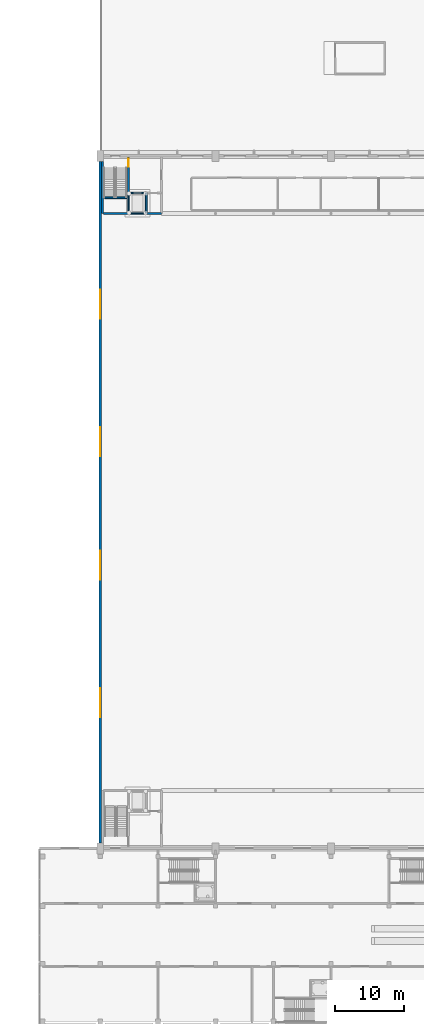
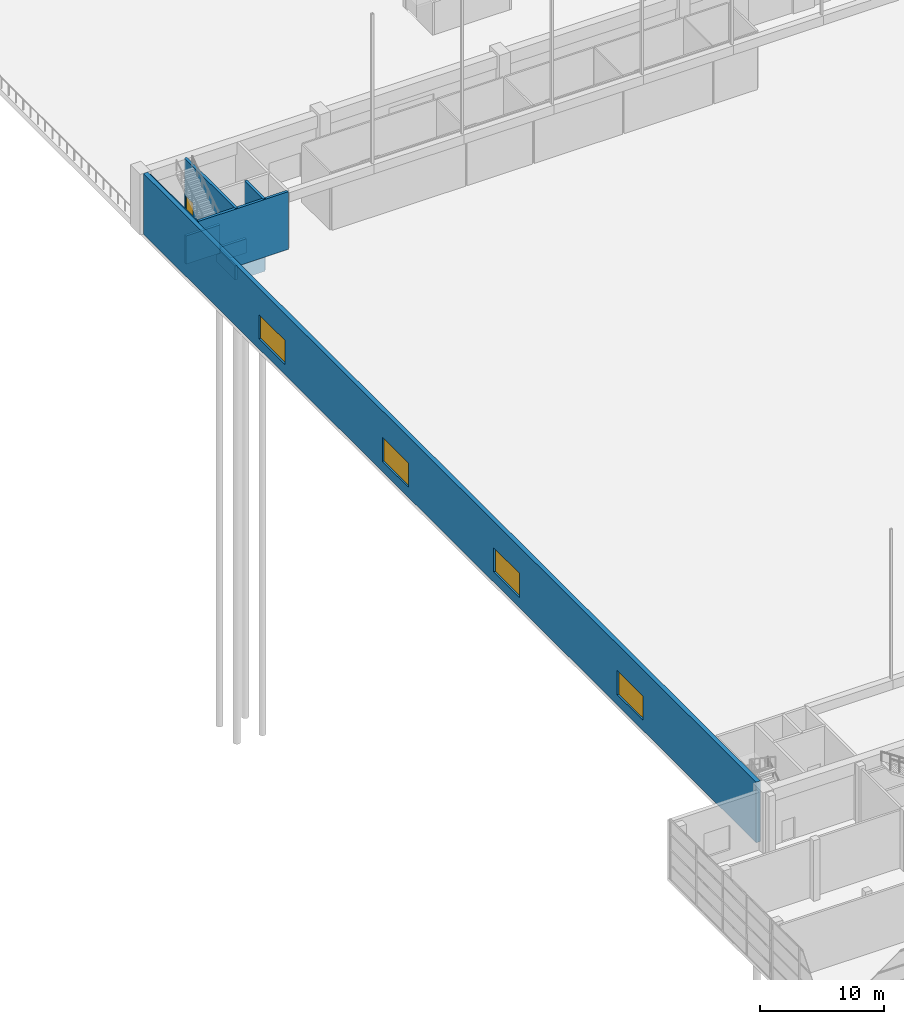
# One storey, part 114 of 210: 10 walls, 4 windows, 1 door, 5 openings.
"""IFC4 building model written with IfcOpenShell, lengths in metres."""

from ifc_helpers import new_model, si_unit, direction, frame, frame_2d, origin, place, context, subcontext, project, spatial, rectangle, extrude, material, layer, layer_set, type_object, element, fill, save


model = new_model("IFC4")

# Units and contexts
model_context = context("Model", 3, precision=1e-05, world=origin(), true_north=direction((0.0, 1.0)))
body_context = subcontext(model_context, "Body", "Model", "MODEL_VIEW")
ifc_project = project(units=[si_unit("LENGTHUNIT", "METRE"), si_unit("AREAUNIT", "SQUARE_METRE"), si_unit("VOLUMEUNIT", "CUBIC_METRE"), si_unit("PLANEANGLEUNIT", "RADIAN"), si_unit("MASSUNIT", "GRAM", prefix="KILO")], contexts=[model_context])

# Site, building, storey
site_placement = place(None, origin())
site = spatial("IfcSite", under=ifc_project, at=site_placement, CompositionType="ELEMENT")
building_placement = place(site_placement, origin())
building = spatial("IfcBuilding", under=site, at=building_placement, Name="Rain Tree Exposition and Congress Centre", CompositionType="ELEMENT")
storey_placement = place(building_placement, origin())
storey = spatial("IfcBuildingStorey", under=building, at=storey_placement, Name="L00", CompositionType="ELEMENT", Elevation=0.0)

# Wall
ifc_material_1 = material(Name="Concrete C40/50", Category="concrete")
ifc_layer_1 = layer(ifc_material_1, 0.300048828125)
ifc_layer_set_1 = layer_set([ifc_layer_1], Name="Concrete C40/50")
wall_type_1 = type_object("IfcWallType", Name="Core gable pier wall 300", PredefinedType="SHEAR", material=ifc_layer_set_1)
wall_1_placement = place(storey_placement, frame((8.75, 200.800048828125, 0.0), z_axis=(0.0, 0.0, 1.0), x_axis=(0.0, -1.0, 0.0)))
element("IfcWall", 1, at=wall_1_placement, inside=storey, type_object=wall_type_1, Name="Gable pier wall 3", PredefinedType="SHEAR", context=body_context, shape_type="SweptSolid", body=[
    extrude(rectangle(XDim=7.60009765625, YDim=0.300048828125, at=frame_2d((3.800048828125, 0.0))), origin(), (0.0, 0.0, 1.0), 5.699951171875),
])

# Wall, opening, door
ifc_material_2 = material(Name="Concrete C40/50", Category="concrete")
ifc_layer_2 = layer(ifc_material_2, 0.25)
ifc_layer_set_2 = layer_set([ifc_layer_2], Name="Concrete C40/50")
wall_type_2 = type_object("IfcWallType", Name="Core wall 250", PredefinedType="SHEAR", material=ifc_layer_set_2)
wall_2_placement = place(storey_placement, frame((12.5, 201.39990234375, 0.0), z_axis=(0.0, 0.0, 1.0), x_axis=(0.0, -1.0, 0.0)))
wall_2 = element("IfcWall", 2, at=wall_2_placement, inside=storey, type_object=wall_type_2, Name="Stair wall 3", PredefinedType="SHEAR", context=body_context, shape_type="SweptSolid", body=[
    extrude(rectangle(XDim=8.199951171875, YDim=0.25, at=frame_2d((4.10009765625, 0.0))), origin(), (0.0, 0.0, 1.0), 5.699951171875),
])
opening_1_placement = place(wall_2_placement, frame((0.199951171875, 0.0, 0.0)))
opening_1 = element("IfcOpeningElement", 3, at=opening_1_placement, cuts=wall_2, Name="Opening DH197", PredefinedType="OPENING", context=body_context, shape_type="SweptSolid", body=[
    extrude(rectangle(XDim=1.199951171875, YDim=2.10009765625, at=frame_2d((0.60009765625, 1.050048828125))), frame((0.0, 0.125, 0.0), z_axis=(0.0, -1.0, 0.0), x_axis=(1.0, 0.0, 0.0)), (0.0, 0.0, 1.0), 0.25),
])
ifc_material_3 = material(Name="Painted steel fire door", Category="steel")
door_type = type_object("IfcDoorType", Name="Stair fire door 1200x2100", OperationType="NOTDEFINED", PredefinedType="DOOR", material=ifc_material_3)
door_placement = place(opening_1_placement, origin())
door = element("IfcDoor", 4, at=door_placement, inside=storey, type_object=door_type, Name="Door DH197", OperationType="SINGLE_SWING_LEFT", OverallHeight=2.10009765625, OverallWidth=1.199951171875, PredefinedType="DOOR", context=body_context, shape_type="SweptSolid", body=[
    extrude(rectangle(XDim=1.199951171875, YDim=2.10009765625, at=frame_2d((0.60009765625, 1.050048828125))), frame((0.0, 0.02490234375, 0.0), z_axis=(0.0, -1.0, 0.0), x_axis=(1.0, 0.0, 0.0)), (0.0, 0.0, 1.0), 0.050048828125),
])
fill(opening_1, door)

# Walls
wall_3_placement = place(storey_placement, frame((8.89990234375, 193.199951171875, 0.0), z_axis=(0.0, 0.0, 1.0), x_axis=(1.0, 0.0, 0.0)))
element("IfcWall", 5, at=wall_3_placement, inside=storey, type_object=wall_type_2, Name="Core north wall 3", PredefinedType="SHEAR", context=body_context, shape_type="SweptSolid", body=[
    extrude(rectangle(XDim=8.400146484375, YDim=0.25, at=frame_2d((4.2001953125, 0.0))), origin(), (0.0, 0.0, 1.0), 5.699951171875),
])
wall_4_placement = place(storey_placement, frame((15.10009765625, 196.199951171875, 0.0), z_axis=(0.0, 0.0, 1.0), x_axis=(0.0, -1.0, 0.0)))
element("IfcWall", 6, at=wall_4_placement, inside=storey, type_object=wall_type_2, Name="Lift shaft wall 3", PredefinedType="SHEAR", context=body_context, shape_type="SweptSolid", body=[
    extrude(rectangle(XDim=3.0, YDim=0.25, at=frame_2d((1.5, 0.0))), origin(), (0.0, 0.0, 1.0), 5.699951171875),
])
wall_5_placement = place(storey_placement, frame((9.050048828125, 195.5, 0.0), z_axis=(0.0, 0.0, 1.0), x_axis=(1.0, 0.0, 0.0)))
element("IfcWall", 7, at=wall_5_placement, inside=storey, type_object=wall_type_2, Name="Stair landing wall 3", PredefinedType="SHEAR", context=body_context, shape_type="SweptSolid", body=[
    extrude(rectangle(XDim=3.199951171875, YDim=0.25, at=frame_2d((1.60009765625, 0.0))), origin(), (0.0, 0.0, 1.0), 2.800048828125),
])

# Wall, openings, windows
ifc_material_4 = material(Name="Precast concrete C50/60", Category="concrete")
ifc_layer_3 = layer(ifc_material_4, 0.39990234375)
ifc_layer_set_3 = layer_set([ifc_layer_3], Name="Precast concrete C50/60")
wall_type_3 = type_object("IfcWallType", Name="Hall gable precast wall 400", PredefinedType="SHEAR", material=ifc_layer_set_3)
wall_6_placement = place(storey_placement, frame((8.39990234375, 101.60009765625, 0.0), z_axis=(0.0, 0.0, 1.0), x_axis=(0.0, 1.0, 0.0)))
wall_6 = element("IfcWall", 8, at=wall_6_placement, inside=storey, type_object=wall_type_3, Name="Gable wall W", PredefinedType="SHEAR", context=body_context, shape_type="SweptSolid", body=[
    extrude(rectangle(XDim=99.199951171875, YDim=0.39990234375, at=frame_2d((49.60009765625, 0.0))), origin(), (0.0, 0.0, 1.0), 6.0),
])
opening_2_placement = place(wall_6_placement, frame((18.300048828125, 0.0, 1.0)))
opening_2 = element("IfcOpeningElement", 9, at=opening_2_placement, cuts=wall_6, Name="Opening WH016", PredefinedType="OPENING", context=body_context, shape_type="SweptSolid", body=[
    extrude(rectangle(XDim=4.199951171875, YDim=2.39990234375, at=frame_2d((2.10009765625, 1.199951171875))), frame((0.0, 0.199951171875, 0.0), z_axis=(0.0, -1.0, 0.0), x_axis=(1.0, 0.0, 0.0)), (0.0, 0.0, 1.0), 0.39990234375),
])
opening_3_placement = place(wall_6_placement, frame((38.300048828125, 0.0, 1.0)))
opening_3 = element("IfcOpeningElement", 10, at=opening_3_placement, cuts=wall_6, Name="Opening WH017", PredefinedType="OPENING", context=body_context, shape_type="SweptSolid", body=[
    extrude(rectangle(XDim=4.199951171875, YDim=2.39990234375, at=frame_2d((2.10009765625, 1.199951171875))), frame((0.0, 0.199951171875, 0.0), z_axis=(0.0, -1.0, 0.0), x_axis=(1.0, 0.0, 0.0)), (0.0, 0.0, 1.0), 0.39990234375),
])
opening_4_placement = place(wall_6_placement, frame((56.300048828125, 0.0, 1.0)))
opening_4 = element("IfcOpeningElement", 11, at=opening_4_placement, cuts=wall_6, Name="Opening WH018", PredefinedType="OPENING", context=body_context, shape_type="SweptSolid", body=[
    extrude(rectangle(XDim=4.199951171875, YDim=2.39990234375, at=frame_2d((2.10009765625, 1.199951171875))), frame((0.0, 0.199951171875, 0.0), z_axis=(0.0, -1.0, 0.0), x_axis=(1.0, 0.0, 0.0)), (0.0, 0.0, 1.0), 0.39990234375),
])
opening_5_placement = place(wall_6_placement, frame((76.300048828125, 0.0, 1.0)))
opening_5 = element("IfcOpeningElement", 12, at=opening_5_placement, cuts=wall_6, Name="Opening WH019", PredefinedType="OPENING", context=body_context, shape_type="SweptSolid", body=[
    extrude(rectangle(XDim=4.199951171875, YDim=2.39990234375, at=frame_2d((2.10009765625, 1.199951171875))), frame((0.0, 0.199951171875, 0.0), z_axis=(0.0, -1.0, 0.0), x_axis=(1.0, 0.0, 0.0)), (0.0, 0.0, 1.0), 0.39990234375),
])
ifc_material_5 = material(Name="Aluminium framed glazing", Category="aluminium")
window_type = type_object("IfcWindowType", Name="Hall gable window 4200x2400", PartitioningType="SINGLE_PANEL", PredefinedType="WINDOW", material=ifc_material_5)
window_1_placement = place(opening_2_placement, origin())
window_1 = element("IfcWindow", 13, at=window_1_placement, inside=storey, type_object=window_type, Name="Window WH016", OverallHeight=2.39990234375, OverallWidth=4.199951171875, PartitioningType="SINGLE_PANEL", PredefinedType="WINDOW", context=body_context, shape_type="SweptSolid", body=[
    extrude(rectangle(XDim=4.199951171875, YDim=2.39990234375, at=frame_2d((2.10009765625, 1.199951171875))), frame((0.0, 0.030029296875, 0.0), z_axis=(0.0, -1.0, 0.0), x_axis=(1.0, 0.0, 0.0)), (0.0, 0.0, 1.0), 0.06005859375),
])
fill(opening_2, window_1)
window_2_placement = place(opening_3_placement, origin())
window_2 = element("IfcWindow", 14, at=window_2_placement, inside=storey, type_object=window_type, Name="Window WH017", OverallHeight=2.39990234375, OverallWidth=4.199951171875, PartitioningType="SINGLE_PANEL", PredefinedType="WINDOW", context=body_context, shape_type="SweptSolid", body=[
    extrude(rectangle(XDim=4.199951171875, YDim=2.39990234375, at=frame_2d((2.10009765625, 1.199951171875))), frame((0.0, 0.030029296875, 0.0), z_axis=(0.0, -1.0, 0.0), x_axis=(1.0, 0.0, 0.0)), (0.0, 0.0, 1.0), 0.06005859375),
])
fill(opening_3, window_2)
window_3_placement = place(opening_4_placement, origin())
window_3 = element("IfcWindow", 15, at=window_3_placement, inside=storey, type_object=window_type, Name="Window WH018", OverallHeight=2.39990234375, OverallWidth=4.199951171875, PartitioningType="SINGLE_PANEL", PredefinedType="WINDOW", context=body_context, shape_type="SweptSolid", body=[
    extrude(rectangle(XDim=4.199951171875, YDim=2.39990234375, at=frame_2d((2.10009765625, 1.199951171875))), frame((0.0, 0.030029296875, 0.0), z_axis=(0.0, -1.0, 0.0), x_axis=(1.0, 0.0, 0.0)), (0.0, 0.0, 1.0), 0.06005859375),
])
fill(opening_4, window_3)
window_4_placement = place(opening_5_placement, origin())
window_4 = element("IfcWindow", 16, at=window_4_placement, inside=storey, type_object=window_type, Name="Window WH019", OverallHeight=2.39990234375, OverallWidth=4.199951171875, PartitioningType="SINGLE_PANEL", PredefinedType="WINDOW", context=body_context, shape_type="SweptSolid", body=[
    extrude(rectangle(XDim=4.199951171875, YDim=2.39990234375, at=frame_2d((2.10009765625, 1.199951171875))), frame((0.0, 0.030029296875, 0.0), z_axis=(0.0, -1.0, 0.0), x_axis=(1.0, 0.0, 0.0)), (0.0, 0.0, 1.0), 0.06005859375),
])
fill(opening_5, window_4)

# Walls
ifc_material_6 = material(Name="Concrete C40/50", Category="concrete")
ifc_layer_4 = layer(ifc_material_6, 0.25)
ifc_layer_set_4 = layer_set([ifc_layer_4], Name="Concrete C40/50")
wall_type_4 = type_object("IfcWallType", Name="Lift pit wall 250", PredefinedType="SHEAR", material=ifc_layer_set_4)
for number, where, z_axis, x_axis, name in (
    (17, (12.5, 196.199951171875, -1.39990234375), (0.0, 0.0, 1.0), (0.0, -1.0, 0.0), "Lift pit wall 3.1"),
    (18, (15.10009765625, 196.199951171875, -1.39990234375), (0.0, 0.0, 1.0), (0.0, -1.0, 0.0), "Lift pit wall 3.2"),
):
    element("IfcWall", number, at=place(storey_placement, frame(where, z_axis=z_axis, x_axis=x_axis)), inside=storey, type_object=wall_type_4, Name=name, PredefinedType="SHEAR", context=body_context, shape_type="SweptSolid", body=[
        extrude(rectangle(XDim=3.0, YDim=0.25, at=frame_2d((1.5, 0.0))), origin(), (0.0, 0.0, 1.0), 1.39990234375),
    ])
for number, where, z_axis, x_axis, name in (
    (19, (12.5, 196.199951171875, -1.39990234375), (0.0, 0.0, 1.0), (1.0, 0.0, 0.0), "Lift pit wall 3.3"),
    (20, (12.5, 193.199951171875, -1.39990234375), (0.0, 0.0, 1.0), (1.0, 0.0, 0.0), "Lift pit wall 3.4"),
):
    element("IfcWall", number, at=place(storey_placement, frame(where, z_axis=z_axis, x_axis=x_axis)), inside=storey, type_object=wall_type_4, Name=name, PredefinedType="SHEAR", context=body_context, shape_type="SweptSolid", body=[
        extrude(rectangle(XDim=2.60009765625, YDim=0.25, at=frame_2d((1.300048828125, 0.0))), origin(), (0.0, 0.0, 1.0), 1.39990234375),
    ])

save(model, "model.ifc")
